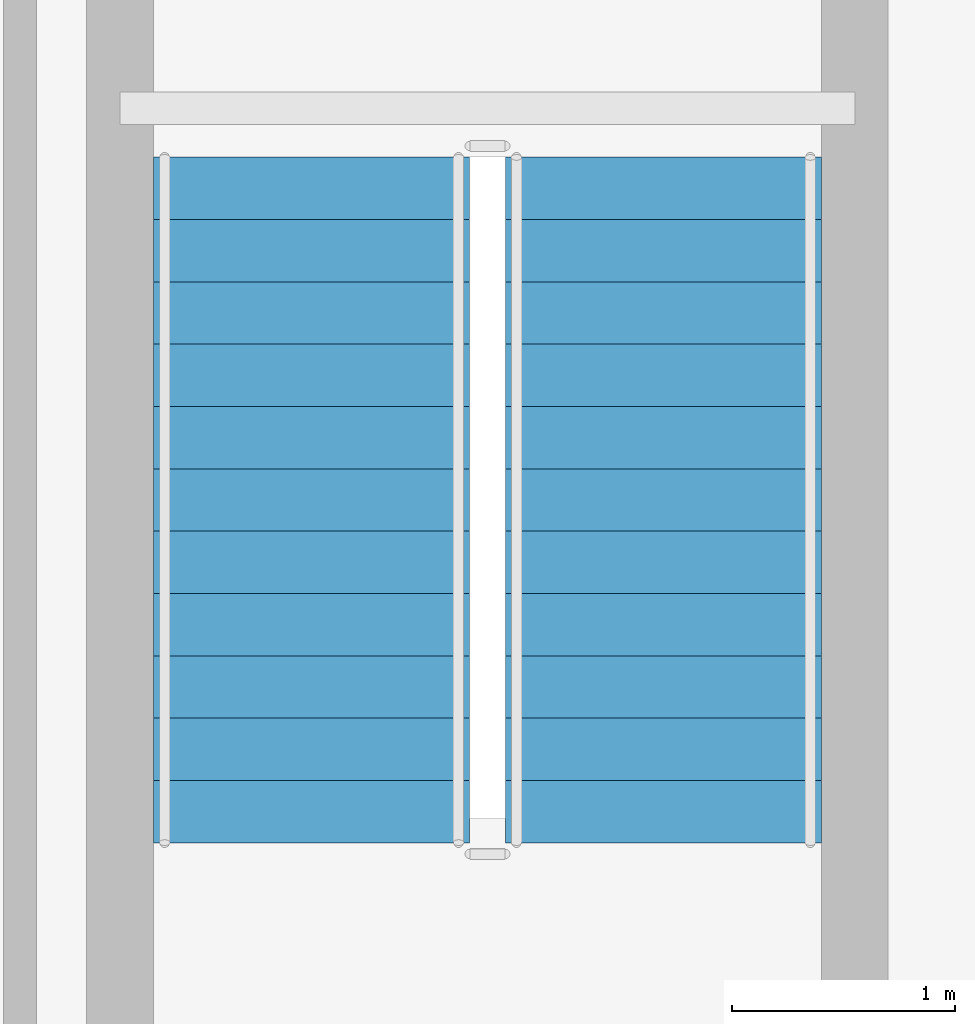
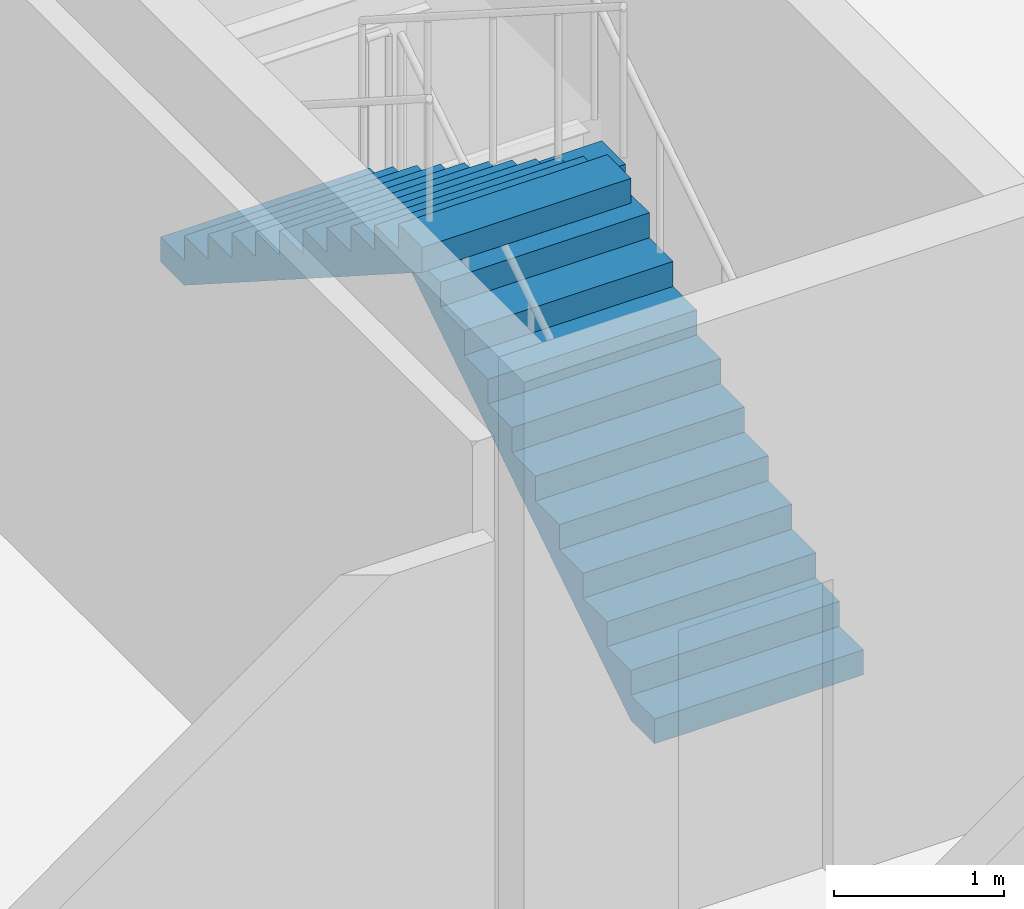
# One storey, part 35 of 42: 2 stair flights, 1 element without a shape of its own.
"""IFC4 building model written with IfcOpenShell, lengths in metres."""

from ifc_helpers import new_model, si_unit, direction, frame, origin, place, context, subcontext, project, spatial, polyline, outline, extrude, material, type_object, element, aggregate, save


model = new_model("IFC4")

# Units and contexts
model_context = context("Model", 3, precision=1e-05, world=origin(), true_north=direction((0.0, 1.0)))
body_context = subcontext(model_context, "Body", "Model", "MODEL_VIEW")
ifc_project = project(units=[si_unit("LENGTHUNIT", "METRE"), si_unit("AREAUNIT", "SQUARE_METRE"), si_unit("VOLUMEUNIT", "CUBIC_METRE"), si_unit("PLANEANGLEUNIT", "RADIAN"), si_unit("MASSUNIT", "GRAM", prefix="KILO")], contexts=[model_context])

# Site, building, storey
site_placement = place(None, origin())
site = spatial("IfcSite", under=ifc_project, at=site_placement, CompositionType="ELEMENT")
building_placement = place(site_placement, origin())
building = spatial("IfcBuilding", under=site, at=building_placement, Name="Orvanel Arch Residences", CompositionType="ELEMENT")
storey_placement = place(building_placement, frame((0.0, 0.0, 5.5)))
storey = spatial("IfcBuildingStorey", under=building, at=storey_placement, Name="L01", CompositionType="ELEMENT", Elevation=5.5)

# Stair, stair flights
ifc_material = material(Name="Precast concrete N50 (50 MPa)", Category="concrete")
stair_type = type_object("IfcStairType", Name="STR-DOG-178", PredefinedType="USERDEFINED", material=ifc_material)
stair_placement = place(storey_placement, origin())
stair = element("IfcStair", 1, at=stair_placement, inside=storey, type_object=stair_type, Name="L01 East Podium Fire-Isolated Exit Stair 4", ObjectType="TWO_RETURN_STAIR", PredefinedType="USERDEFINED")
stair_flight_type = type_object("IfcStairFlightType", Name="SFL-C4-178", PredefinedType="STRAIGHT", material=ifc_material)
stair_flight_1_placement = place(storey_placement, frame((53.68994140625, 40.419921875, 0.0), z_axis=(0.0, 0.0, 1.0), x_axis=(0.0, 1.0, 0.0)))
stair_flight_1 = element("IfcStairFlight", 2, at=stair_flight_1_placement, type_object=stair_flight_type, Name="ST-4 flight 1", NumberOfRisers=12, NumberOfTreads=11, PredefinedType="STRAIGHT", RiserHeight=0.179166667, TreadLength=0.28, context=body_context, shape_type="SweptSolid", body=[
    extrude(outline(polyline([(0.0, 0.0), (0.0, 0.17919921875), (0.280029296875, 0.17919921875), (0.280029296875, 0.3583984375), (0.56005859375, 0.3583984375), (0.56005859375, 0.53759765625), (0.840087890625, 0.53759765625), (0.840087890625, 0.716552734375), (1.1201171875, 0.716552734375), (1.1201171875, 0.895751953125), (1.39990234375, 0.895751953125), (1.39990234375, 1.074951171875), (1.679931640625, 1.074951171875), (1.679931640625, 1.254150390625), (1.9599609375, 1.254150390625), (1.9599609375, 1.433349609375), (2.239990234375, 1.433349609375), (2.239990234375, 1.612548828125), (2.52001953125, 1.612548828125), (2.52001953125, 1.791748046875), (2.800048828125, 1.791748046875), (2.800048828125, 1.970947265625), (3.080078125, 1.970947265625), (3.080078125, 2.14990234375), (3.080078125, 1.79296875), (0.278076171875, 0.0), (0.0, 0.0)])), frame((0.0, 0.7099609375, 0.0), z_axis=(0.0, -1.0, 0.0), x_axis=(1.0, 0.0, 0.0)), (0.0, 0.0, 1.0), 1.419921875),
])
stair_flight_2_placement = place(storey_placement, frame((52.110107421875, 43.5, 2.14990234375), z_axis=(0.0, 0.0, 1.0), x_axis=(0.0, -1.0, 0.0)))
stair_flight_2 = element("IfcStairFlight", 3, at=stair_flight_2_placement, type_object=stair_flight_type, Name="ST-4 flight 2", NumberOfRisers=12, NumberOfTreads=11, PredefinedType="STRAIGHT", RiserHeight=0.179166667, TreadLength=0.28, context=body_context, shape_type="SweptSolid", body=[
    extrude(outline(polyline([(0.0, 0.0), (0.0, 0.17919921875), (0.280029296875, 0.17919921875), (0.280029296875, 0.3583984375), (0.56005859375, 0.3583984375), (0.56005859375, 0.53759765625), (0.840087890625, 0.53759765625), (0.840087890625, 0.716552734375), (1.1201171875, 0.716552734375), (1.1201171875, 0.895751953125), (1.39990234375, 0.895751953125), (1.39990234375, 1.074951171875), (1.679931640625, 1.074951171875), (1.679931640625, 1.254150390625), (1.9599609375, 1.254150390625), (1.9599609375, 1.433349609375), (2.239990234375, 1.433349609375), (2.239990234375, 1.612548828125), (2.52001953125, 1.612548828125), (2.52001953125, 1.791748046875), (2.800048828125, 1.791748046875), (2.800048828125, 1.970947265625), (3.080078125, 1.970947265625), (3.080078125, 2.14990234375), (3.080078125, 1.79296875), (0.278076171875, 0.0), (0.0, 0.0)])), frame((0.0, 0.7099609375, 0.0), z_axis=(0.0, -1.0, 0.0), x_axis=(1.0, 0.0, 0.0)), (0.0, 0.0, 1.0), 1.419921875),
])
aggregate(stair, [stair_flight_1, stair_flight_2])

save(model, "model.ifc")
